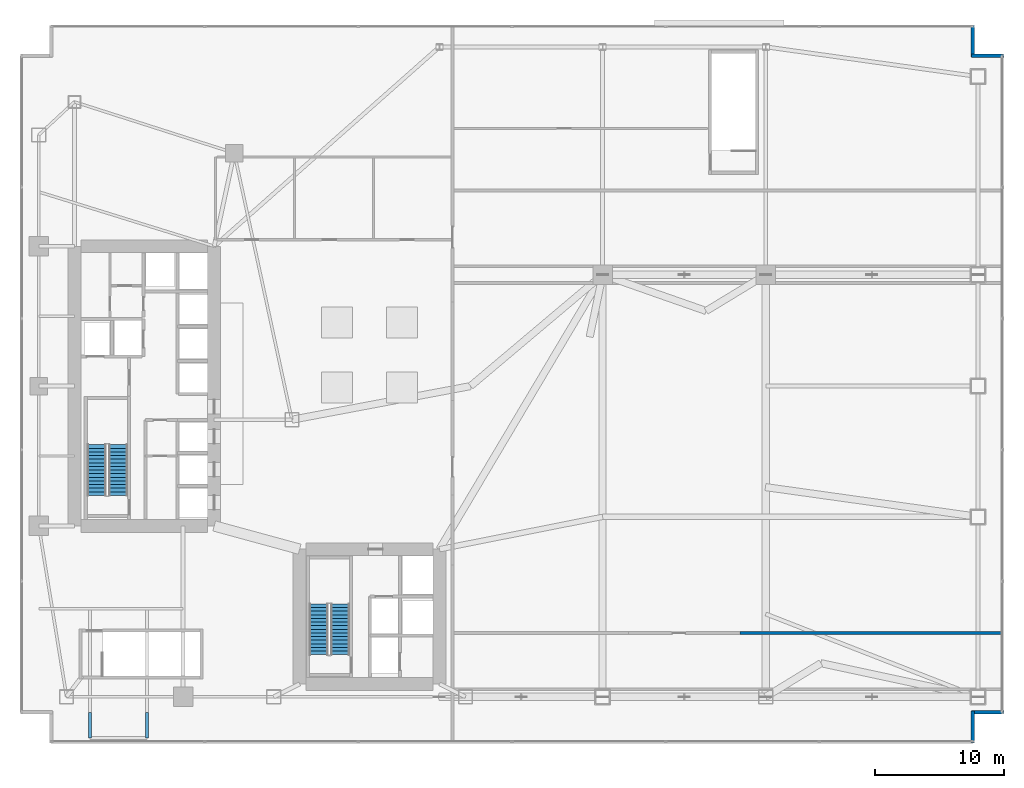
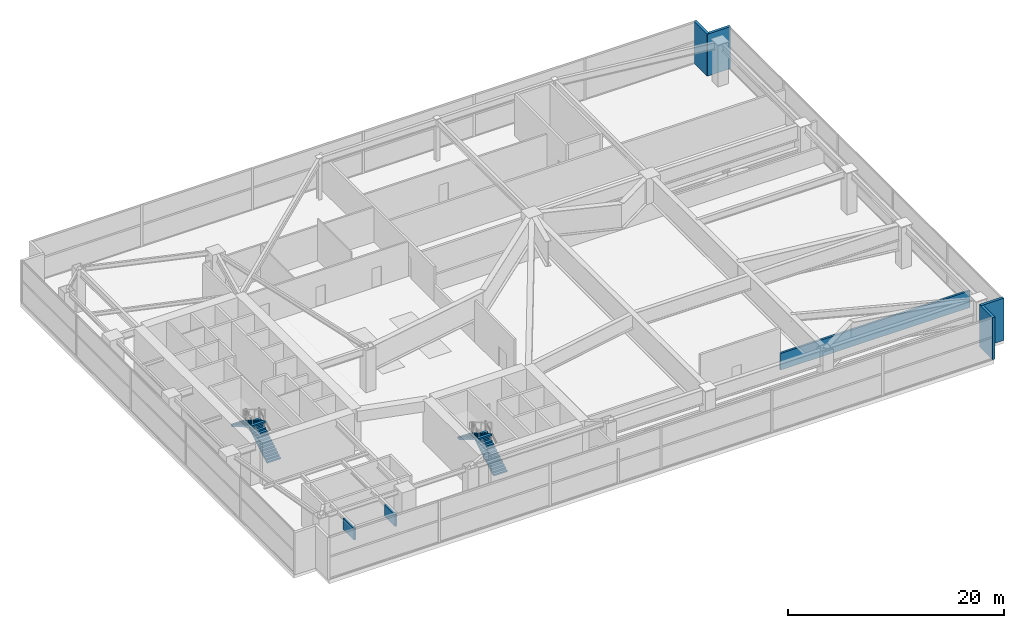
# One storey, part 34 of 36: 5 walls, 4 stair flights, 2 discrete accessories, 2 elements without a shape of their own.
"""IFC4 building model written with IfcOpenShell, lengths in metres."""

from ifc_helpers import new_model, si_unit, direction, frame, frame_2d, origin, origin_2d, place, context, subcontext, project, spatial, polyline, rectangle, outline, extrude, material, layer, layer_set, type_object, element, aggregate, save


model = new_model("IFC4")

# Units and contexts
model_context = context("Model", 3, precision=1e-05, world=origin(), true_north=direction((0.0, 1.0)))
body_context = subcontext(model_context, "Body", "Model", "MODEL_VIEW")
ifc_project = project(units=[si_unit("LENGTHUNIT", "METRE"), si_unit("AREAUNIT", "SQUARE_METRE"), si_unit("VOLUMEUNIT", "CUBIC_METRE"), si_unit("PLANEANGLEUNIT", "RADIAN"), si_unit("MASSUNIT", "GRAM", prefix="KILO")], contexts=[model_context])

# Site, building, storey
site_placement = place(None, origin())
site = spatial("IfcSite", under=ifc_project, at=site_placement, CompositionType="ELEMENT")
building_placement = place(site_placement, origin())
building = spatial("IfcBuilding", under=site, at=building_placement, Name="Calvorn Quay Hotel", CompositionType="ELEMENT")
storey_placement = place(building_placement, frame((0.0, 0.0, 22.0)))
storey = spatial("IfcBuildingStorey", under=building, at=storey_placement, Name="L04", CompositionType="ELEMENT", Elevation=22.0)

# Walls
ifc_material_1 = material(Name="Concrete C40", Category="concrete")
ifc_layer_1 = layer(ifc_material_1, 0.320068359375)
ifc_layer_set_1 = layer_set([ifc_layer_1], Name="WL-EXT-SPANDREL-320")
wall_type_1 = type_object("IfcWallType", Name="WL-EXT-SPANDREL-320", PredefinedType="SOLIDWALL", material=ifc_layer_set_1)
for number, where, z_axis, x_axis, name in (
    (1, (73.60009765625, 0.0400390625, 0.0), (0.0, 0.0, 1.0), (0.0, 1.0, 0.0), "Podium Notched Corner Wall L04-SE1"),
    (2, (73.5, 2.39990234375, 0.0), (0.0, 0.0, 1.0), (1.0, 0.0, 0.0), "Podium Notched Corner Wall L04-SE2"),
    (3, (75.9599609375, 53.10009765625, 0.0), (0.0, 0.0, 1.0), (-1.0, 0.0, 0.0), "Podium Notched Corner Wall L04-NE1"),
    (4, (73.60009765625, 53.0, 0.0), (0.0, 0.0, 1.0), (0.0, 1.0, 0.0), "Podium Notched Corner Wall L04-NE2"),
):
    element("IfcWall", number, at=place(storey_placement, frame(where, z_axis=z_axis, x_axis=x_axis)), inside=storey, type_object=wall_type_1, Name=name, PredefinedType="SOLIDWALL", context=body_context, shape_type="SweptSolid", body=[
        extrude(rectangle(XDim=2.4599609375, YDim=0.280029296875, at=frame_2d((1.22998046875, 0.0))), origin(), (0.0, 0.0, 1.0), 4.760009765625),
    ])
ifc_material_2 = material(Name="Autoclaved Aerated Masonry Block", Category="masonry")
ifc_layer_2 = layer(ifc_material_2, 0.219970703125)
ifc_layer_set_2 = layer_set([ifc_layer_2], Name="WL-LOBBY-FIRE-220")
wall_type_2 = type_object("IfcWallType", Name="WL-LOBBY-FIRE-220", PredefinedType="SOLIDWALL", material=ifc_layer_set_2)
wall_placement = place(storey_placement, frame((55.60009765625, 8.52001953125, 0.0), z_axis=(0.0, 0.0, 1.0), x_axis=(1.0, 0.0, 0.0)))
element("IfcWall", 5, at=wall_placement, inside=storey, type_object=wall_type_2, Name="Partition Wall L04-WL-L04-FT-S2", PredefinedType="SOLIDWALL", context=body_context, shape_type="SweptSolid", body=[
    extrude(rectangle(XDim=20.27978515625, YDim=0.219970703125, at=frame_2d((10.139892578125, 0.0))), origin(), (0.0, 0.0, 1.0), 1.889892578125),
])

# Stair, stair flights
ifc_material_3 = material(Name="Concrete C40", Category="concrete")
stair_type = type_object("IfcStairType", Name="STR-CORE-DOGLEG", PredefinedType="HALF_TURN_STAIR", material=ifc_material_3)
stair_1_placement = place(storey_placement, origin())
stair_1 = element("IfcStair", 6, at=stair_1_placement, inside=storey, type_object=stair_type, Name="L04 ST-W", PredefinedType="HALF_TURN_STAIR")
ifc_material_4 = material(Name="Concrete C40", Category="concrete")
stair_flight_type = type_object("IfcStairFlightType", Name="FLT-CORE-1550", PredefinedType="STRAIGHT", material=ifc_material_4)
stair_flight_1_placement = place(storey_placement, frame((7.574951171875, 19.14990234375, 0.0), z_axis=(0.0, 0.0, 1.0), x_axis=(0.0, 1.0, 0.0)))
stair_flight_1 = element("IfcStairFlight", 7, at=stair_flight_1_placement, type_object=stair_flight_type, Name="ST-W flight 1", NumberOfRisers=15, NumberOfTreads=14, PredefinedType="STRAIGHT", RiserHeight=0.166666667, TreadLength=0.28, context=body_context, shape_type="SweptSolid", body=[
    extrude(outline(polyline([(0.0, 0.0), (0.0, 0.166748046875), (0.280029296875, 0.166748046875), (0.280029296875, 0.333251953125), (0.56005859375, 0.333251953125), (0.56005859375, 0.5), (0.840087890625, 0.5), (0.840087890625, 0.666748046875), (1.1201171875, 0.666748046875), (1.1201171875, 0.833251953125), (1.39990234375, 0.833251953125), (1.39990234375, 1.0), (1.679931640625, 1.0), (1.679931640625, 1.166748046875), (1.9599609375, 1.166748046875), (1.9599609375, 1.333251953125), (2.239990234375, 1.333251953125), (2.239990234375, 1.5), (2.52001953125, 1.5), (2.52001953125, 1.666748046875), (2.800048828125, 1.666748046875), (2.800048828125, 1.833251953125), (3.080078125, 1.833251953125), (3.080078125, 2.0), (3.360107421875, 2.0), (3.360107421875, 2.166748046875), (3.639892578125, 2.166748046875), (3.639892578125, 2.333251953125), (3.919921875, 2.333251953125), (3.919921875, 2.5), (3.919921875, 2.158935546875), (0.29296875, 0.0), (0.0, 0.0)])), frame((0.0, 0.72509765625, 0.0), z_axis=(0.0, -1.0, 0.0), x_axis=(1.0, 0.0, 0.0)), (0.0, 0.0, 1.0), 1.449951171875),
])
stair_flight_2_placement = place(storey_placement, frame((5.925048828125, 23.070068359375, 2.5), z_axis=(0.0, 0.0, 1.0), x_axis=(0.0, -1.0, 0.0)))
stair_flight_2 = element("IfcStairFlight", 8, at=stair_flight_2_placement, type_object=stair_flight_type, Name="ST-W flight 2", NumberOfRisers=15, NumberOfTreads=14, PredefinedType="STRAIGHT", RiserHeight=0.166666667, TreadLength=0.28, context=body_context, shape_type="SweptSolid", body=[
    extrude(outline(polyline([(0.0, 0.0), (0.0, 0.166748046875), (0.280029296875, 0.166748046875), (0.280029296875, 0.333251953125), (0.56005859375, 0.333251953125), (0.56005859375, 0.5), (0.840087890625, 0.5), (0.840087890625, 0.666748046875), (1.1201171875, 0.666748046875), (1.1201171875, 0.833251953125), (1.39990234375, 0.833251953125), (1.39990234375, 1.0), (1.679931640625, 1.0), (1.679931640625, 1.166748046875), (1.9599609375, 1.166748046875), (1.9599609375, 1.333251953125), (2.239990234375, 1.333251953125), (2.239990234375, 1.5), (2.52001953125, 1.5), (2.52001953125, 1.666748046875), (2.800048828125, 1.666748046875), (2.800048828125, 1.833251953125), (3.080078125, 1.833251953125), (3.080078125, 2.0), (3.360107421875, 2.0), (3.360107421875, 2.166748046875), (3.639892578125, 2.166748046875), (3.639892578125, 2.333251953125), (3.919921875, 2.333251953125), (3.919921875, 2.5), (3.919921875, 2.158935546875), (0.29296875, 0.0), (0.0, 0.0)])), frame((0.0, 0.72509765625, 0.0), z_axis=(0.0, -1.0, 0.0), x_axis=(1.0, 0.0, 0.0)), (0.0, 0.0, 1.0), 1.449951171875),
])
aggregate(stair_1, [stair_flight_1, stair_flight_2])

stair_2_placement = place(storey_placement, origin())
stair_2 = element("IfcStair", 9, at=stair_2_placement, inside=storey, type_object=stair_type, Name="L04 ST-E", PredefinedType="HALF_TURN_STAIR")
stair_flight_3_placement = place(storey_placement, frame((24.72509765625, 6.85009765625, 0.0), z_axis=(0.0, 0.0, 1.0), x_axis=(0.0, 1.0, 0.0)))
stair_flight_3 = element("IfcStairFlight", 10, at=stair_flight_3_placement, type_object=stair_flight_type, Name="ST-E flight 1", NumberOfRisers=15, NumberOfTreads=14, PredefinedType="STRAIGHT", RiserHeight=0.166666667, TreadLength=0.28, context=body_context, shape_type="SweptSolid", body=[
    extrude(outline(polyline([(0.0, 0.0), (0.0, 0.166748046875), (0.280029296875, 0.166748046875), (0.280029296875, 0.333251953125), (0.56005859375, 0.333251953125), (0.56005859375, 0.5), (0.840087890625, 0.5), (0.840087890625, 0.666748046875), (1.1201171875, 0.666748046875), (1.1201171875, 0.833251953125), (1.39990234375, 0.833251953125), (1.39990234375, 1.0), (1.679931640625, 1.0), (1.679931640625, 1.166748046875), (1.9599609375, 1.166748046875), (1.9599609375, 1.333251953125), (2.239990234375, 1.333251953125), (2.239990234375, 1.5), (2.52001953125, 1.5), (2.52001953125, 1.666748046875), (2.800048828125, 1.666748046875), (2.800048828125, 1.833251953125), (3.080078125, 1.833251953125), (3.080078125, 2.0), (3.360107421875, 2.0), (3.360107421875, 2.166748046875), (3.639892578125, 2.166748046875), (3.639892578125, 2.333251953125), (3.919921875, 2.333251953125), (3.919921875, 2.5), (3.919921875, 2.158935546875), (0.29296875, 0.0), (0.0, 0.0)])), frame((0.0, 0.72509765625, 0.0), z_axis=(0.0, -1.0, 0.0), x_axis=(1.0, 0.0, 0.0)), (0.0, 0.0, 1.0), 1.449951171875),
])
stair_flight_4_placement = place(storey_placement, frame((23.074951171875, 10.77001953125, 2.5), z_axis=(0.0, 0.0, 1.0), x_axis=(0.0, -1.0, 0.0)))
stair_flight_4 = element("IfcStairFlight", 11, at=stair_flight_4_placement, type_object=stair_flight_type, Name="ST-E flight 2", NumberOfRisers=15, NumberOfTreads=14, PredefinedType="STRAIGHT", RiserHeight=0.166666667, TreadLength=0.28, context=body_context, shape_type="SweptSolid", body=[
    extrude(outline(polyline([(0.0, 0.0), (0.0, 0.166748046875), (0.280029296875, 0.166748046875), (0.280029296875, 0.333251953125), (0.56005859375, 0.333251953125), (0.56005859375, 0.5), (0.840087890625, 0.5), (0.840087890625, 0.666748046875), (1.1201171875, 0.666748046875), (1.1201171875, 0.833251953125), (1.39990234375, 0.833251953125), (1.39990234375, 1.0), (1.679931640625, 1.0), (1.679931640625, 1.166748046875), (1.9599609375, 1.166748046875), (1.9599609375, 1.333251953125), (2.239990234375, 1.333251953125), (2.239990234375, 1.5), (2.52001953125, 1.5), (2.52001953125, 1.666748046875), (2.800048828125, 1.666748046875), (2.800048828125, 1.833251953125), (3.080078125, 1.833251953125), (3.080078125, 2.0), (3.360107421875, 2.0), (3.360107421875, 2.166748046875), (3.639892578125, 2.166748046875), (3.639892578125, 2.333251953125), (3.919921875, 2.333251953125), (3.919921875, 2.5), (3.919921875, 2.158935546875), (0.29296875, 0.0), (0.0, 0.0)])), frame((0.0, 0.72509765625, 0.0), z_axis=(0.0, -1.0, 0.0), x_axis=(1.0, 0.0, 0.0)), (0.0, 0.0, 1.0), 1.449951171875),
])
aggregate(stair_2, [stair_flight_3, stair_flight_4])

# Discrete accessories
ifc_material_5 = material(Name="Steel Q355B", Category="steel")
discrete_accessory_type = type_object("IfcDiscreteAccessoryType", Name="ACC-BALC-STRUT", PredefinedType="BRACKET", material=ifc_material_5)
for number, where, z_axis, x_axis, name in (
    (12, (5.39990234375, 1.405029296875, 3.21484375), (0.0, 0.0, 1.0), (1.0, 0.0, 0.0), "Exterior Balcony Steel Bracket L05-BALC-S-A"),
    (13, (9.800048828125, 1.405029296875, 3.21484375), (0.0, 0.0, 1.0), (1.0, 0.0, 0.0), "Exterior Balcony Steel Bracket L05-BALC-S-B"),
):
    element("IfcDiscreteAccessory", number, at=place(storey_placement, frame(where, z_axis=z_axis, x_axis=x_axis)), inside=storey, type_object=discrete_accessory_type, Name=name, PredefinedType="BRACKET", context=body_context, shape_type="SweptSolid", body=[
        extrude(rectangle(XDim=0.219970703125, YDim=1.989990234375, at=origin_2d()), origin(), (0.0, 0.0, 1.0), 1.300048828125),
    ])

save(model, "model.ifc")
